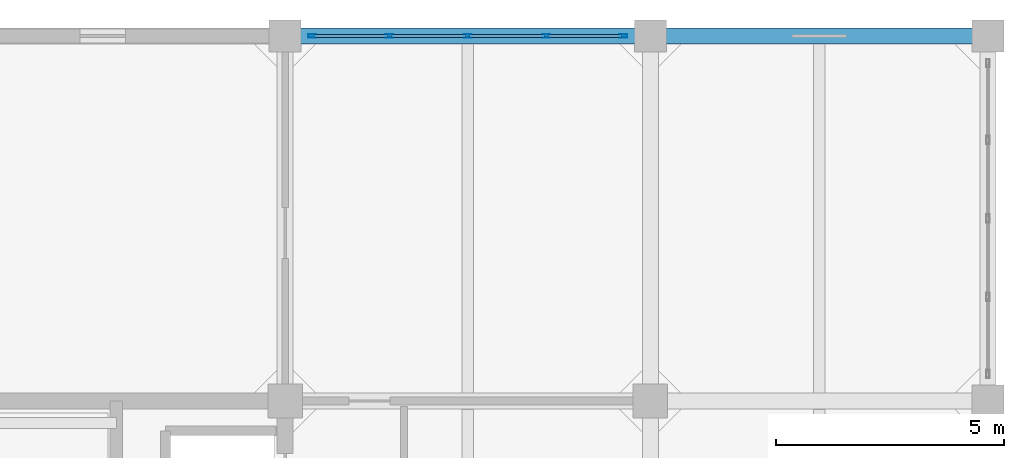
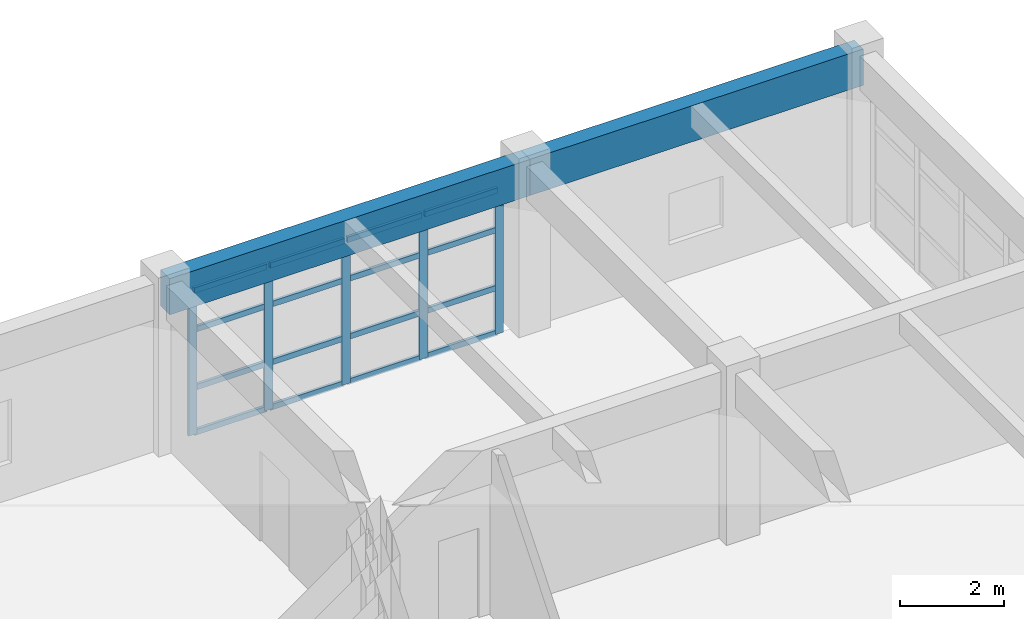
# One storey, part 15 of 25: 21 members, 2 beams, 1 element without a shape of its own.
"""IFC4 building model written with IfcOpenShell, lengths in metres."""

from ifc_helpers import new_model, si_unit, direction, frame, origin, origin_2d, place, context, subcontext, project, spatial, rectangle, hollow_rectangle, extrude, material, layer, layer_set, material_profile, profile_set, type_object, element, aggregate, save


model = new_model("IFC4")

# Units and contexts
model_context = context("Model", 3, precision=1e-05, world=origin(), true_north=direction((0.0, 1.0)))
body_context = subcontext(model_context, "Body", "Model", "MODEL_VIEW")
ifc_project = project(units=[si_unit("LENGTHUNIT", "METRE"), si_unit("AREAUNIT", "SQUARE_METRE"), si_unit("VOLUMEUNIT", "CUBIC_METRE"), si_unit("PLANEANGLEUNIT", "RADIAN"), si_unit("MASSUNIT", "GRAM", prefix="KILO")], contexts=[model_context])

# Site, building, storey
site_placement = place(None, origin())
site = spatial("IfcSite", under=ifc_project, at=site_placement, CompositionType="ELEMENT")
building_placement = place(site_placement, origin())
building = spatial("IfcBuilding", under=site, at=building_placement, Name="Canggui Botanical Conservatory", CompositionType="ELEMENT")
storey_placement = place(building_placement, frame((0.0, 0.0, 40.199951171875)))
storey = spatial("IfcBuildingStorey", under=building, at=storey_placement, Name="L10", CompositionType="ELEMENT", Elevation=40.199951171875)

# Beams
ifc_material_1 = material(Name="Concrete C35", Category="concrete")
ifc_material_profile_1 = material_profile(ifc_material_1, rectangle(XDim=0.35009765625, YDim=0.85009765625, at=origin_2d()), Name="RB 350x850")
ifc_profile_set_1 = profile_set([ifc_material_profile_1], Name="Concrete C35")
beam_type = type_object("IfcBeamType", Name="BM-KL14", PredefinedType="BEAM", material=ifc_profile_set_1)
beam_1_placement = place(storey_placement, frame((162.0, 74.0, 3.53515625), z_axis=(1.0, 0.0, 0.0), x_axis=(0.0, 1.0, 0.0)))
element("IfcBeam", 1, at=beam_1_placement, inside=storey, type_object=beam_type, Name="Frame Girder L10 Y74-3", PredefinedType="BEAM", context=body_context, shape_type="SweptSolid", body=[
    extrude(rectangle(XDim=0.35009765625, YDim=0.85009765625, at=origin_2d()), origin(), (0.0, 0.0, 1.0), 8.0),
])
beam_2_placement = place(storey_placement, frame((170.0, 74.0, 3.53515625), z_axis=(1.0, 0.0, 0.0), x_axis=(0.0, 1.0, 0.0)))
element("IfcBeam", 2, at=beam_2_placement, inside=storey, type_object=beam_type, Name="Frame Girder L10 Y74-4", PredefinedType="BEAM", context=body_context, shape_type="SweptSolid", body=[
    extrude(rectangle(XDim=0.35009765625, YDim=0.85009765625, at=origin_2d()), origin(), (0.0, 0.0, 1.0), 7.39990234375),
])

# Curtain wall, members
ifc_material_2 = material(Name="Thermally Broken Aluminium", Category="aluminium")
ifc_layer = layer(ifc_material_2, 0.179931640625, Name="Thermally Broken Aluminium", Category="aluminium")
ifc_layer_set = layer_set([ifc_layer], Name="Thermally Broken Aluminium")
curtain_wall_type = type_object("IfcCurtainWallType", Name="CW-UNIT-A", PredefinedType="USERDEFINED", material=ifc_layer_set)
curtain_wall_placement = place(storey_placement, origin())
curtain_wall = element("IfcCurtainWall", 3, at=curtain_wall_placement, inside=storey, type_object=curtain_wall_type, Name="Facade Curtain Wall CW-TWR-L10-12", ObjectType="UNITISED CURTAIN WALL", PredefinedType="USERDEFINED")
ifc_material_profile_2 = material_profile(ifc_material_2, hollow_rectangle(XDim=0.070068359375, YDim=0.179931640625, WallThickness=0.00390625, at=origin_2d()), Name="CWM 70x180x4")
ifc_profile_set_2 = profile_set([ifc_material_profile_2], Name="Thermally Broken Aluminium")
member_type_1 = type_object("IfcMemberType", Name="CWM-01", PredefinedType="MULLION", material=ifc_profile_set_2)
member_1_placement = place(storey_placement, frame((162.594970703125, 74.0, 0.0), z_axis=(0.0, 0.0, 1.0), x_axis=(0.0, 1.0, 0.0)))
member_1 = element("IfcMember", 4, at=member_1_placement, type_object=member_type_1, Name="CW-01 mullion 1", PredefinedType="MULLION", context=body_context, shape_type="SweptSolid", body=[
    extrude(hollow_rectangle(XDim=0.070068359375, YDim=0.179931640625, WallThickness=0.00390625, at=origin_2d()), origin(), (0.0, 0.0, 1.0), 3.400146484375),
])
member_2_placement = place(storey_placement, frame((164.280029296875, 74.0, 0.0), z_axis=(0.0, 0.0, 1.0), x_axis=(0.0, 1.0, 0.0)))
member_2 = element("IfcMember", 5, at=member_2_placement, type_object=member_type_1, Name="CW-01 mullion 2", PredefinedType="MULLION", context=body_context, shape_type="SweptSolid", body=[
    extrude(hollow_rectangle(XDim=0.070068359375, YDim=0.179931640625, WallThickness=0.00390625, at=origin_2d()), origin(), (0.0, 0.0, 1.0), 3.400146484375),
])
member_3_placement = place(storey_placement, frame((166.0, 74.0, 0.0), z_axis=(0.0, 0.0, 1.0), x_axis=(0.0, 1.0, 0.0)))
member_3 = element("IfcMember", 6, at=member_3_placement, type_object=member_type_1, Name="CW-01 mullion 3", PredefinedType="MULLION", context=body_context, shape_type="SweptSolid", body=[
    extrude(hollow_rectangle(XDim=0.070068359375, YDim=0.179931640625, WallThickness=0.00390625, at=origin_2d()), origin(), (0.0, 0.0, 1.0), 3.400146484375),
])
member_4_placement = place(storey_placement, frame((167.719970703125, 74.0, 0.0), z_axis=(0.0, 0.0, 1.0), x_axis=(0.0, 1.0, 0.0)))
member_4 = element("IfcMember", 7, at=member_4_placement, type_object=member_type_1, Name="CW-01 mullion 4", PredefinedType="MULLION", context=body_context, shape_type="SweptSolid", body=[
    extrude(hollow_rectangle(XDim=0.070068359375, YDim=0.179931640625, WallThickness=0.00390625, at=origin_2d()), origin(), (0.0, 0.0, 1.0), 3.400146484375),
])
member_5_placement = place(storey_placement, frame((169.405029296875, 74.0, 0.0), z_axis=(0.0, 0.0, 1.0), x_axis=(0.0, 1.0, 0.0)))
member_5 = element("IfcMember", 8, at=member_5_placement, type_object=member_type_1, Name="CW-01 mullion 5", PredefinedType="MULLION", context=body_context, shape_type="SweptSolid", body=[
    extrude(hollow_rectangle(XDim=0.070068359375, YDim=0.179931640625, WallThickness=0.00390625, at=origin_2d()), origin(), (0.0, 0.0, 1.0), 3.400146484375),
])
ifc_material_profile_3 = material_profile(ifc_material_2, hollow_rectangle(XDim=0.06494140625, YDim=0.1298828125, WallThickness=0.00341796875, at=origin_2d()), Name="CWT 65x130x3.5")
ifc_profile_set_3 = profile_set([ifc_material_profile_3], Name="Thermally Broken Aluminium")
member_type_2 = type_object("IfcMemberType", Name="CWT-01", PredefinedType="USERDEFINED", material=ifc_profile_set_3)
member_6_placement = place(storey_placement, frame((162.6298828125, 74.0, 0.032470703125), z_axis=(1.0, 0.0, 0.0), x_axis=(0.0, 1.0, 0.0)))
member_6 = element("IfcMember", 9, at=member_6_placement, type_object=member_type_2, Name="CW-01 transom 1.1", ObjectType="TRANSOM", PredefinedType="USERDEFINED", context=body_context, shape_type="SweptSolid", body=[
    extrude(hollow_rectangle(XDim=0.06494140625, YDim=0.1298828125, WallThickness=0.00341796875, at=origin_2d()), origin(), (0.0, 0.0, 1.0), 1.615234375),
])
member_7_placement = place(storey_placement, frame((162.6298828125, 74.0, 1.088134765625), z_axis=(1.0, 0.0, 0.0), x_axis=(0.0, 1.0, 0.0)))
member_7 = element("IfcMember", 10, at=member_7_placement, type_object=member_type_2, Name="CW-01 transom 1.2", ObjectType="TRANSOM", PredefinedType="USERDEFINED", context=body_context, shape_type="SweptSolid", body=[
    extrude(hollow_rectangle(XDim=0.06494140625, YDim=0.1298828125, WallThickness=0.00341796875, at=origin_2d()), origin(), (0.0, 0.0, 1.0), 1.615234375),
])
member_8_placement = place(storey_placement, frame((162.6298828125, 74.0, 2.447998046875), z_axis=(1.0, 0.0, 0.0), x_axis=(0.0, 1.0, 0.0)))
member_8 = element("IfcMember", 11, at=member_8_placement, type_object=member_type_2, Name="CW-01 transom 1.3", ObjectType="TRANSOM", PredefinedType="USERDEFINED", context=body_context, shape_type="SweptSolid", body=[
    extrude(hollow_rectangle(XDim=0.06494140625, YDim=0.1298828125, WallThickness=0.00341796875, at=origin_2d()), origin(), (0.0, 0.0, 1.0), 1.615234375),
])
member_9_placement = place(storey_placement, frame((162.6298828125, 74.0, 3.367431640625), z_axis=(1.0, 0.0, 0.0), x_axis=(0.0, 1.0, 0.0)))
member_9 = element("IfcMember", 12, at=member_9_placement, type_object=member_type_2, Name="CW-01 transom 1.4", ObjectType="TRANSOM", PredefinedType="USERDEFINED", context=body_context, shape_type="SweptSolid", body=[
    extrude(hollow_rectangle(XDim=0.06494140625, YDim=0.1298828125, WallThickness=0.00341796875, at=origin_2d()), origin(), (0.0, 0.0, 1.0), 1.615234375),
])
member_10_placement = place(storey_placement, frame((164.31494140625, 74.0, 0.032470703125), z_axis=(1.0, 0.0, 0.0), x_axis=(0.0, 1.0, 0.0)))
member_10 = element("IfcMember", 13, at=member_10_placement, type_object=member_type_2, Name="CW-01 transom 2.1", ObjectType="TRANSOM", PredefinedType="USERDEFINED", context=body_context, shape_type="SweptSolid", body=[
    extrude(hollow_rectangle(XDim=0.06494140625, YDim=0.1298828125, WallThickness=0.00341796875, at=origin_2d()), origin(), (0.0, 0.0, 1.0), 1.650146484375),
])
member_11_placement = place(storey_placement, frame((164.31494140625, 74.0, 1.088134765625), z_axis=(1.0, 0.0, 0.0), x_axis=(0.0, 1.0, 0.0)))
member_11 = element("IfcMember", 14, at=member_11_placement, type_object=member_type_2, Name="CW-01 transom 2.2", ObjectType="TRANSOM", PredefinedType="USERDEFINED", context=body_context, shape_type="SweptSolid", body=[
    extrude(hollow_rectangle(XDim=0.06494140625, YDim=0.1298828125, WallThickness=0.00341796875, at=origin_2d()), origin(), (0.0, 0.0, 1.0), 1.650146484375),
])
member_12_placement = place(storey_placement, frame((164.31494140625, 74.0, 2.447998046875), z_axis=(1.0, 0.0, 0.0), x_axis=(0.0, 1.0, 0.0)))
member_12 = element("IfcMember", 15, at=member_12_placement, type_object=member_type_2, Name="CW-01 transom 2.3", ObjectType="TRANSOM", PredefinedType="USERDEFINED", context=body_context, shape_type="SweptSolid", body=[
    extrude(hollow_rectangle(XDim=0.06494140625, YDim=0.1298828125, WallThickness=0.00341796875, at=origin_2d()), origin(), (0.0, 0.0, 1.0), 1.650146484375),
])
member_13_placement = place(storey_placement, frame((164.31494140625, 74.0, 3.367431640625), z_axis=(1.0, 0.0, 0.0), x_axis=(0.0, 1.0, 0.0)))
member_13 = element("IfcMember", 16, at=member_13_placement, type_object=member_type_2, Name="CW-01 transom 2.4", ObjectType="TRANSOM", PredefinedType="USERDEFINED", context=body_context, shape_type="SweptSolid", body=[
    extrude(hollow_rectangle(XDim=0.06494140625, YDim=0.1298828125, WallThickness=0.00341796875, at=origin_2d()), origin(), (0.0, 0.0, 1.0), 1.650146484375),
])
member_14_placement = place(storey_placement, frame((166.034912109375, 74.0, 0.032470703125), z_axis=(1.0, 0.0, 0.0), x_axis=(0.0, 1.0, 0.0)))
member_14 = element("IfcMember", 17, at=member_14_placement, type_object=member_type_2, Name="CW-01 transom 3.1", ObjectType="TRANSOM", PredefinedType="USERDEFINED", context=body_context, shape_type="SweptSolid", body=[
    extrude(hollow_rectangle(XDim=0.06494140625, YDim=0.1298828125, WallThickness=0.00341796875, at=origin_2d()), origin(), (0.0, 0.0, 1.0), 1.650146484375),
])
member_15_placement = place(storey_placement, frame((166.034912109375, 74.0, 1.088134765625), z_axis=(1.0, 0.0, 0.0), x_axis=(0.0, 1.0, 0.0)))
member_15 = element("IfcMember", 18, at=member_15_placement, type_object=member_type_2, Name="CW-01 transom 3.2", ObjectType="TRANSOM", PredefinedType="USERDEFINED", context=body_context, shape_type="SweptSolid", body=[
    extrude(hollow_rectangle(XDim=0.06494140625, YDim=0.1298828125, WallThickness=0.00341796875, at=origin_2d()), origin(), (0.0, 0.0, 1.0), 1.650146484375),
])
member_16_placement = place(storey_placement, frame((166.034912109375, 74.0, 2.447998046875), z_axis=(1.0, 0.0, 0.0), x_axis=(0.0, 1.0, 0.0)))
member_16 = element("IfcMember", 19, at=member_16_placement, type_object=member_type_2, Name="CW-01 transom 3.3", ObjectType="TRANSOM", PredefinedType="USERDEFINED", context=body_context, shape_type="SweptSolid", body=[
    extrude(hollow_rectangle(XDim=0.06494140625, YDim=0.1298828125, WallThickness=0.00341796875, at=origin_2d()), origin(), (0.0, 0.0, 1.0), 1.650146484375),
])
member_17_placement = place(storey_placement, frame((166.034912109375, 74.0, 3.367431640625), z_axis=(1.0, 0.0, 0.0), x_axis=(0.0, 1.0, 0.0)))
member_17 = element("IfcMember", 20, at=member_17_placement, type_object=member_type_2, Name="CW-01 transom 3.4", ObjectType="TRANSOM", PredefinedType="USERDEFINED", context=body_context, shape_type="SweptSolid", body=[
    extrude(hollow_rectangle(XDim=0.06494140625, YDim=0.1298828125, WallThickness=0.00341796875, at=origin_2d()), origin(), (0.0, 0.0, 1.0), 1.650146484375),
])
member_18_placement = place(storey_placement, frame((167.7548828125, 74.0, 0.032470703125), z_axis=(1.0, 0.0, 0.0), x_axis=(0.0, 1.0, 0.0)))
member_18 = element("IfcMember", 21, at=member_18_placement, type_object=member_type_2, Name="CW-01 transom 4.1", ObjectType="TRANSOM", PredefinedType="USERDEFINED", context=body_context, shape_type="SweptSolid", body=[
    extrude(hollow_rectangle(XDim=0.06494140625, YDim=0.1298828125, WallThickness=0.00341796875, at=origin_2d()), origin(), (0.0, 0.0, 1.0), 1.615234375),
])
member_19_placement = place(storey_placement, frame((167.7548828125, 74.0, 1.088134765625), z_axis=(1.0, 0.0, 0.0), x_axis=(0.0, 1.0, 0.0)))
member_19 = element("IfcMember", 22, at=member_19_placement, type_object=member_type_2, Name="CW-01 transom 4.2", ObjectType="TRANSOM", PredefinedType="USERDEFINED", context=body_context, shape_type="SweptSolid", body=[
    extrude(hollow_rectangle(XDim=0.06494140625, YDim=0.1298828125, WallThickness=0.00341796875, at=origin_2d()), origin(), (0.0, 0.0, 1.0), 1.615234375),
])
member_20_placement = place(storey_placement, frame((167.7548828125, 74.0, 2.447998046875), z_axis=(1.0, 0.0, 0.0), x_axis=(0.0, 1.0, 0.0)))
member_20 = element("IfcMember", 23, at=member_20_placement, type_object=member_type_2, Name="CW-01 transom 4.3", ObjectType="TRANSOM", PredefinedType="USERDEFINED", context=body_context, shape_type="SweptSolid", body=[
    extrude(hollow_rectangle(XDim=0.06494140625, YDim=0.1298828125, WallThickness=0.00341796875, at=origin_2d()), origin(), (0.0, 0.0, 1.0), 1.615234375),
])
member_21_placement = place(storey_placement, frame((167.7548828125, 74.0, 3.367431640625), z_axis=(1.0, 0.0, 0.0), x_axis=(0.0, 1.0, 0.0)))
member_21 = element("IfcMember", 24, at=member_21_placement, type_object=member_type_2, Name="CW-01 transom 4.4", ObjectType="TRANSOM", PredefinedType="USERDEFINED", context=body_context, shape_type="SweptSolid", body=[
    extrude(hollow_rectangle(XDim=0.06494140625, YDim=0.1298828125, WallThickness=0.00341796875, at=origin_2d()), origin(), (0.0, 0.0, 1.0), 1.615234375),
])
aggregate(curtain_wall, [member_1, member_2, member_3, member_4, member_5, member_6, member_7, member_8, member_9, member_10, member_11, member_12, member_13, member_14, member_15, member_16, member_17, member_18, member_19, member_20, member_21])

save(model, "model.ifc")
